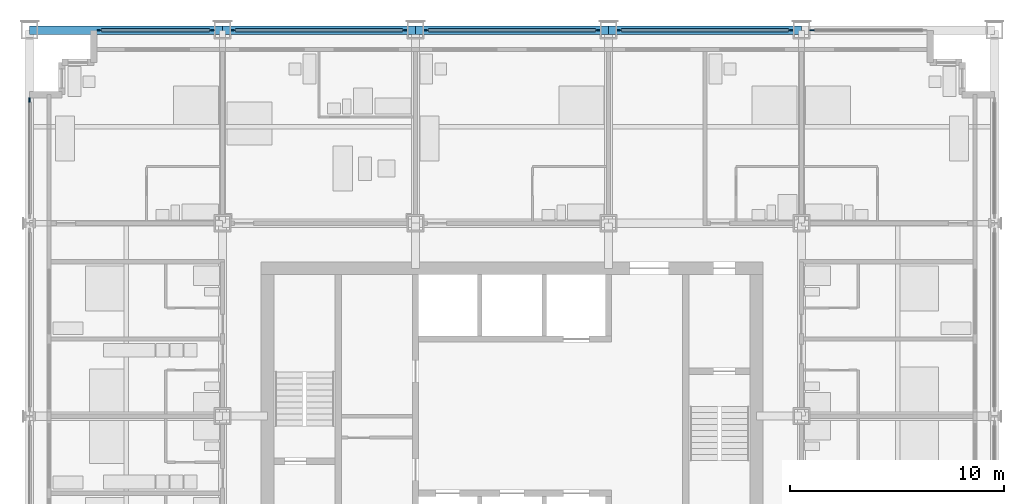
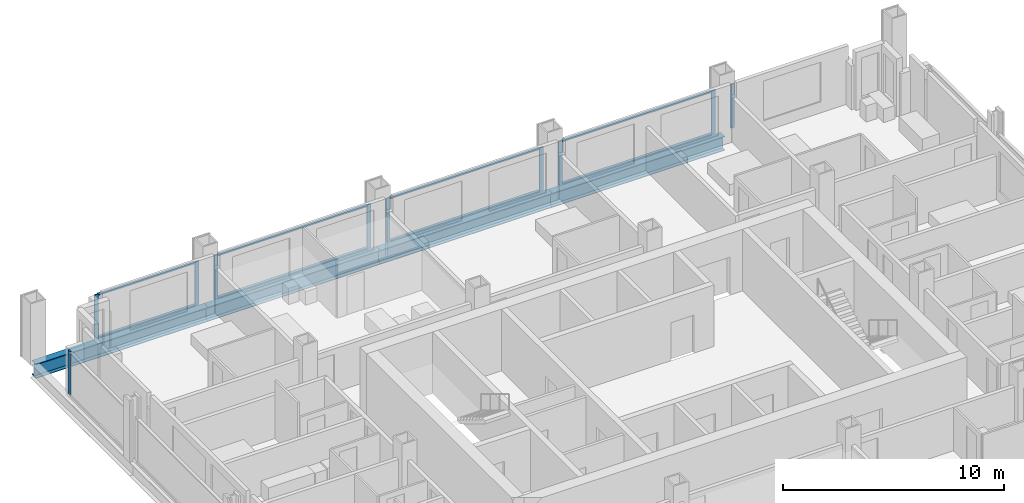
# One storey, part 6 of 16: 18 members, 4 beams, 6 elements without a shape of their own.
"""IFC4 building model written with IfcOpenShell, lengths in metres."""

from ifc_helpers import new_model, si_unit, direction, frame, origin, origin_2d, place, context, subcontext, project, spatial, rectangle, i_section, extrude, material, material_profile, profile_set, type_object, element, aggregate, save


model = new_model("IFC4")

# Units and contexts
model_context = context("Model", 3, precision=1e-05, world=origin(), true_north=direction((0.0, 1.0)))
body_context = subcontext(model_context, "Body", "Model", "MODEL_VIEW")
ifc_project = project(units=[si_unit("LENGTHUNIT", "METRE"), si_unit("AREAUNIT", "SQUARE_METRE"), si_unit("VOLUMEUNIT", "CUBIC_METRE"), si_unit("PLANEANGLEUNIT", "RADIAN"), si_unit("MASSUNIT", "GRAM", prefix="KILO")], contexts=[model_context])

# Site, building, storey
site_placement = place(None, origin())
site = spatial("IfcSite", under=ifc_project, at=site_placement, CompositionType="ELEMENT")
building_placement = place(site_placement, origin())
building = spatial("IfcBuilding", under=site, at=building_placement, Name="Loomwork Tower", CompositionType="ELEMENT")
storey_placement = place(building_placement, frame((0.0, 0.0, 111.199951171875)))
storey = spatial("IfcBuildingStorey", under=building, at=storey_placement, Name="L29", CompositionType="ELEMENT", Elevation=111.199951171875)

# Curtain wall, members
ifc_material_1 = material(Name="Aluminium curtain wall frame", Category="aluminium")
curtain_wall_type = type_object("IfcCurtainWallType", Name="Outer skin glazing hotel", PredefinedType="NOTDEFINED", material=ifc_material_1)
curtain_wall_1_placement = place(storey_placement, origin())
curtain_wall_1 = element("IfcCurtainWall", 1, at=curtain_wall_1_placement, inside=storey, type_object=curtain_wall_type, Name="Outer skin glazing hotel cw/N-0", PredefinedType="NOTDEFINED")
ifc_material_2 = material(Name="Aluminium curtain wall frame", Category="aluminium")
ifc_material_profile_1 = material_profile(ifc_material_2, rectangle(XDim=0.06494140625, YDim=0.199951171875, at=origin_2d()), Name="AL 65x200")
ifc_profile_set_1 = profile_set([ifc_material_profile_1], Name="Aluminium curtain wall frame")
member_type_1 = type_object("IfcMemberType", Name="Outer skin glazing hotel mullion", PredefinedType="MULLION", material=ifc_profile_set_1)
member_1_placement = place(storey_placement, frame((8.5, 36.0, 0.0), z_axis=(0.0, 0.0, 1.0), x_axis=(0.0, -1.0, 0.0)))
member_1 = element("IfcMember", 2, at=member_1_placement, type_object=member_type_1, Name="CW1 mullion 1", PredefinedType="MULLION", context=body_context, shape_type="SweptSolid", body=[
    extrude(rectangle(XDim=0.06494140625, YDim=0.199951171875, at=origin_2d()), origin(), (0.0, 0.0, 1.0), 2.420166015625),
])
member_2_placement = place(storey_placement, frame((3.25, 36.0, 0.0), z_axis=(0.0, 0.0, 1.0), x_axis=(0.0, -1.0, 0.0)))
member_2 = element("IfcMember", 3, at=member_2_placement, type_object=member_type_1, Name="CW1 mullion 2", PredefinedType="MULLION", context=body_context, shape_type="SweptSolid", body=[
    extrude(rectangle(XDim=0.06494140625, YDim=0.199951171875, at=origin_2d()), origin(), (0.0, 0.0, 1.0), 2.420166015625),
])

curtain_wall_2_placement = place(storey_placement, origin())
curtain_wall_2 = element("IfcCurtainWall", 4, at=curtain_wall_2_placement, inside=storey, type_object=curtain_wall_type, Name="Outer skin glazing hotel cw/N-9", PredefinedType="NOTDEFINED")
member_3_placement = place(storey_placement, frame((17.5, 36.0, 0.0), z_axis=(0.0, 0.0, 1.0), x_axis=(0.0, -1.0, 0.0)))
member_3 = element("IfcMember", 5, at=member_3_placement, type_object=member_type_1, Name="CW1 mullion 1", PredefinedType="MULLION", context=body_context, shape_type="SweptSolid", body=[
    extrude(rectangle(XDim=0.06494140625, YDim=0.199951171875, at=origin_2d()), origin(), (0.0, 0.0, 1.0), 2.420166015625),
])
member_4_placement = place(storey_placement, frame((9.5, 36.0, 0.0), z_axis=(0.0, 0.0, 1.0), x_axis=(0.0, -1.0, 0.0)))
member_4 = element("IfcMember", 6, at=member_4_placement, type_object=member_type_1, Name="CW1 mullion 2", PredefinedType="MULLION", context=body_context, shape_type="SweptSolid", body=[
    extrude(rectangle(XDim=0.06494140625, YDim=0.199951171875, at=origin_2d()), origin(), (0.0, 0.0, 1.0), 2.420166015625),
])

curtain_wall_3_placement = place(storey_placement, origin())
curtain_wall_3 = element("IfcCurtainWall", 7, at=curtain_wall_3_placement, inside=storey, type_object=curtain_wall_type, Name="Outer skin glazing hotel cw/N-18", PredefinedType="NOTDEFINED")
member_5_placement = place(storey_placement, frame((26.5, 36.0, 0.0), z_axis=(0.0, 0.0, 1.0), x_axis=(0.0, -1.0, 0.0)))
member_5 = element("IfcMember", 8, at=member_5_placement, type_object=member_type_1, Name="CW1 mullion 1", PredefinedType="MULLION", context=body_context, shape_type="SweptSolid", body=[
    extrude(rectangle(XDim=0.06494140625, YDim=0.199951171875, at=origin_2d()), origin(), (0.0, 0.0, 1.0), 2.420166015625),
])
member_6_placement = place(storey_placement, frame((18.5, 36.0, 0.0), z_axis=(0.0, 0.0, 1.0), x_axis=(0.0, -1.0, 0.0)))
member_6 = element("IfcMember", 9, at=member_6_placement, type_object=member_type_1, Name="CW1 mullion 2", PredefinedType="MULLION", context=body_context, shape_type="SweptSolid", body=[
    extrude(rectangle(XDim=0.06494140625, YDim=0.199951171875, at=origin_2d()), origin(), (0.0, 0.0, 1.0), 2.420166015625),
])

curtain_wall_4_placement = place(storey_placement, origin())
curtain_wall_4 = element("IfcCurtainWall", 10, at=curtain_wall_4_placement, inside=storey, type_object=curtain_wall_type, Name="Outer skin glazing hotel cw/N-27", PredefinedType="NOTDEFINED")
member_7_placement = place(storey_placement, frame((35.5, 36.0, 0.0), z_axis=(0.0, 0.0, 1.0), x_axis=(0.0, -1.0, 0.0)))
member_7 = element("IfcMember", 11, at=member_7_placement, type_object=member_type_1, Name="CW1 mullion 1", PredefinedType="MULLION", context=body_context, shape_type="SweptSolid", body=[
    extrude(rectangle(XDim=0.06494140625, YDim=0.199951171875, at=origin_2d()), origin(), (0.0, 0.0, 1.0), 2.420166015625),
])
member_8_placement = place(storey_placement, frame((27.5, 36.0, 0.0), z_axis=(0.0, 0.0, 1.0), x_axis=(0.0, -1.0, 0.0)))
member_8 = element("IfcMember", 12, at=member_8_placement, type_object=member_type_1, Name="CW1 mullion 2", PredefinedType="MULLION", context=body_context, shape_type="SweptSolid", body=[
    extrude(rectangle(XDim=0.06494140625, YDim=0.199951171875, at=origin_2d()), origin(), (0.0, 0.0, 1.0), 2.420166015625),
])

# Curtain wall, member
curtain_wall_5_placement = place(storey_placement, origin())
curtain_wall_5 = element("IfcCurtainWall", 13, at=curtain_wall_5_placement, inside=storey, type_object=curtain_wall_type, Name="Outer skin glazing hotel cw/N-36", PredefinedType="NOTDEFINED")
member_9_placement = place(storey_placement, frame((36.5, 36.0, 0.0), z_axis=(0.0, 0.0, 1.0), x_axis=(0.0, -1.0, 0.0)))
member_9 = element("IfcMember", 14, at=member_9_placement, type_object=member_type_1, Name="CW1 mullion 2", PredefinedType="MULLION", context=body_context, shape_type="SweptSolid", body=[
    extrude(rectangle(XDim=0.06494140625, YDim=0.199951171875, at=origin_2d()), origin(), (0.0, 0.0, 1.0), 2.420166015625),
])
aggregate(curtain_wall_5, [member_9])

curtain_wall_6_placement = place(storey_placement, origin())
curtain_wall_6 = element("IfcCurtainWall", 15, at=curtain_wall_6_placement, inside=storey, type_object=curtain_wall_type, Name="Outer skin glazing hotel cw/W-27", PredefinedType="NOTDEFINED")
member_10_placement = place(storey_placement, frame((0.0, 32.75, 0.0), z_axis=(0.0, 0.0, 1.0), x_axis=(1.0, 0.0, 0.0)))
member_10 = element("IfcMember", 16, at=member_10_placement, type_object=member_type_1, Name="CW1 mullion 1", PredefinedType="MULLION", context=body_context, shape_type="SweptSolid", body=[
    extrude(rectangle(XDim=0.06494140625, YDim=0.199951171875, at=origin_2d()), origin(), (0.0, 0.0, 1.0), 2.420166015625),
])
aggregate(curtain_wall_6, [member_10])

# Member
ifc_material_3 = material(Name="Aluminium curtain wall frame", Category="aluminium")
ifc_material_profile_2 = material_profile(ifc_material_3, rectangle(XDim=0.14990234375, YDim=0.06494140625, at=origin_2d()), Name="AL 65x150")
ifc_profile_set_2 = profile_set([ifc_material_profile_2], Name="Aluminium curtain wall frame")
member_type_2 = type_object("IfcMemberType", Name="Outer skin glazing hotel transom", PredefinedType="USERDEFINED", material=ifc_profile_set_2)
member_11_placement = place(storey_placement, frame((8.39990234375, 36.0, 0.032470703125), z_axis=(-1.0, 0.0, 0.0), x_axis=(0.0, -1.0, 0.0)))
member_11 = element("IfcMember", 17, at=member_11_placement, type_object=member_type_2, Name="CW1 transom 1.1", ObjectType="TRANSOM", PredefinedType="USERDEFINED", context=body_context, shape_type="SweptSolid", body=[
    extrude(rectangle(XDim=0.14990234375, YDim=0.06494140625, at=origin_2d()), origin(), (0.0, 0.0, 1.0), 5.0498046875),
])

member_12_placement = place(storey_placement, frame((8.39990234375, 36.0, 2.3876953125), z_axis=(-1.0, 0.0, 0.0), x_axis=(0.0, -1.0, 0.0)))
member_12 = element("IfcMember", 18, at=member_12_placement, type_object=member_type_2, Name="CW1 transom 1.2", ObjectType="TRANSOM", PredefinedType="USERDEFINED", context=body_context, shape_type="SweptSolid", body=[
    extrude(rectangle(XDim=0.14990234375, YDim=0.06494140625, at=origin_2d()), origin(), (0.0, 0.0, 1.0), 5.0498046875),
])

aggregate(curtain_wall_1, [member_1, member_2, member_11, member_12])

member_13_placement = place(storey_placement, frame((17.39990234375, 36.0, 0.032470703125), z_axis=(-1.0, 0.0, 0.0), x_axis=(0.0, -1.0, 0.0)))
member_13 = element("IfcMember", 19, at=member_13_placement, type_object=member_type_2, Name="CW1 transom 1.1", ObjectType="TRANSOM", PredefinedType="USERDEFINED", context=body_context, shape_type="SweptSolid", body=[
    extrude(rectangle(XDim=0.14990234375, YDim=0.06494140625, at=origin_2d()), origin(), (0.0, 0.0, 1.0), 7.7998046875),
])

member_14_placement = place(storey_placement, frame((17.39990234375, 36.0, 2.3876953125), z_axis=(-1.0, 0.0, 0.0), x_axis=(0.0, -1.0, 0.0)))
member_14 = element("IfcMember", 20, at=member_14_placement, type_object=member_type_2, Name="CW1 transom 1.2", ObjectType="TRANSOM", PredefinedType="USERDEFINED", context=body_context, shape_type="SweptSolid", body=[
    extrude(rectangle(XDim=0.14990234375, YDim=0.06494140625, at=origin_2d()), origin(), (0.0, 0.0, 1.0), 7.7998046875),
])

aggregate(curtain_wall_2, [member_3, member_4, member_13, member_14])

member_15_placement = place(storey_placement, frame((26.39990234375, 36.0, 0.032470703125), z_axis=(-1.0, 0.0, 0.0), x_axis=(0.0, -1.0, 0.0)))
member_15 = element("IfcMember", 21, at=member_15_placement, type_object=member_type_2, Name="CW1 transom 1.1", ObjectType="TRANSOM", PredefinedType="USERDEFINED", context=body_context, shape_type="SweptSolid", body=[
    extrude(rectangle(XDim=0.14990234375, YDim=0.06494140625, at=origin_2d()), origin(), (0.0, 0.0, 1.0), 7.7998046875),
])

member_16_placement = place(storey_placement, frame((26.39990234375, 36.0, 2.3876953125), z_axis=(-1.0, 0.0, 0.0), x_axis=(0.0, -1.0, 0.0)))
member_16 = element("IfcMember", 22, at=member_16_placement, type_object=member_type_2, Name="CW1 transom 1.2", ObjectType="TRANSOM", PredefinedType="USERDEFINED", context=body_context, shape_type="SweptSolid", body=[
    extrude(rectangle(XDim=0.14990234375, YDim=0.06494140625, at=origin_2d()), origin(), (0.0, 0.0, 1.0), 7.7998046875),
])

aggregate(curtain_wall_3, [member_5, member_6, member_15, member_16])

member_17_placement = place(storey_placement, frame((35.39990234375, 36.0, 0.032470703125), z_axis=(-1.0, 0.0, 0.0), x_axis=(0.0, -1.0, 0.0)))
member_17 = element("IfcMember", 23, at=member_17_placement, type_object=member_type_2, Name="CW1 transom 1.1", ObjectType="TRANSOM", PredefinedType="USERDEFINED", context=body_context, shape_type="SweptSolid", body=[
    extrude(rectangle(XDim=0.14990234375, YDim=0.06494140625, at=origin_2d()), origin(), (0.0, 0.0, 1.0), 7.7998046875),
])

member_18_placement = place(storey_placement, frame((35.39990234375, 36.0, 2.3876953125), z_axis=(-1.0, 0.0, 0.0), x_axis=(0.0, -1.0, 0.0)))
member_18 = element("IfcMember", 24, at=member_18_placement, type_object=member_type_2, Name="CW1 transom 1.2", ObjectType="TRANSOM", PredefinedType="USERDEFINED", context=body_context, shape_type="SweptSolid", body=[
    extrude(rectangle(XDim=0.14990234375, YDim=0.06494140625, at=origin_2d()), origin(), (0.0, 0.0, 1.0), 7.7998046875),
])

aggregate(curtain_wall_4, [member_7, member_8, member_17, member_18])

# Beams
ifc_material_4 = material(Name="Steel ASTM A992", Category="steel")
ifc_material_profile_3 = material_profile(ifc_material_4, i_section(OverallWidth=0.381103515625, OverallDepth=0.77978515625, WebThickness=0.01806640625, FlangeThickness=0.0302734375, at=origin_2d()), Name="W30x191")
ifc_profile_set_3 = profile_set([ifc_material_profile_3], Name="Steel ASTM A992")
beam_type = type_object("IfcBeamType", Name="SPANDREL GIRDER W30x191", PredefinedType="SPANDREL", material=ifc_profile_set_3)
for number, where, z_axis, x_axis, name in (
    (25, (0.0, 36.0, -0.58984375), (1.0, 0.0, 0.0), (0.0, 1.0, 0.0), "Spandrel Girder H/2-H/3 L29"),
    (26, (9.0, 36.0, -0.58984375), (1.0, 0.0, 0.0), (0.0, 1.0, 0.0), "Spandrel Girder H/3-H/4 L29"),
    (27, (18.0, 36.0, -0.58984375), (1.0, 0.0, 0.0), (0.0, 1.0, 0.0), "Spandrel Girder H/4-H/5 L29"),
    (28, (27.0, 36.0, -0.58984375), (1.0, 0.0, 0.0), (0.0, 1.0, 0.0), "Spandrel Girder H/5-H/6 L29"),
):
    element("IfcBeam", number, at=place(storey_placement, frame(where, z_axis=z_axis, x_axis=x_axis)), inside=storey, type_object=beam_type, Name=name, PredefinedType="SPANDREL", context=body_context, shape_type="SweptSolid", body=[
        extrude(i_section(OverallWidth=0.381103515625, OverallDepth=0.77978515625, WebThickness=0.01806640625, FlangeThickness=0.0302734375, at=origin_2d()), origin(), (0.0, 0.0, 1.0), 9.0),
    ])

save(model, "model.ifc")
